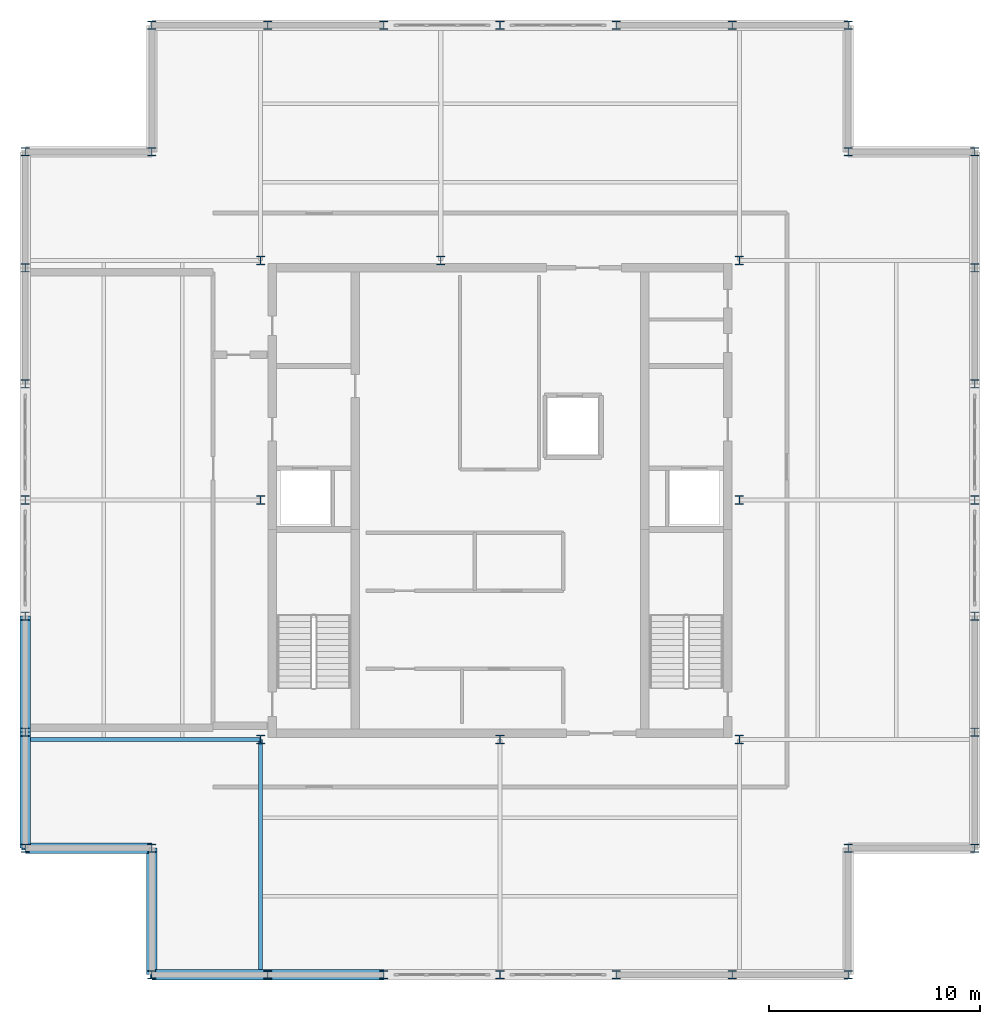
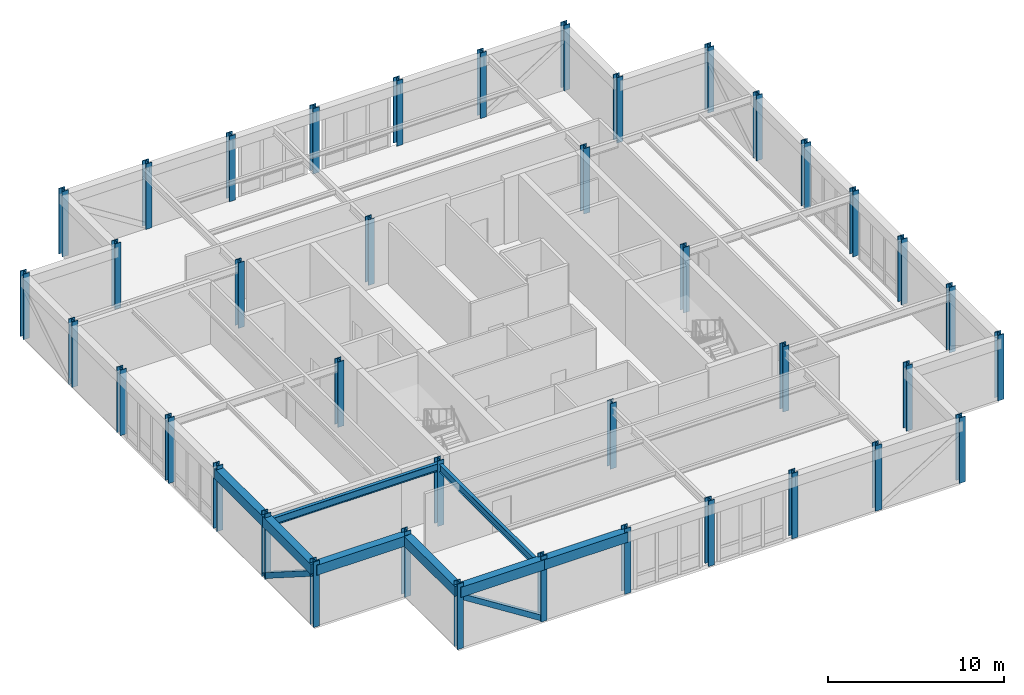
# One storey, part 1 of 9: 40 columns, 8 beams, 2 members.
"""IFC4 building model written with IfcOpenShell, lengths in metres."""

from ifc_helpers import new_model, si_unit, direction, frame, origin, origin_2d, place, context, subcontext, project, spatial, rectangle, hollow_rectangle, i_section, extrude, material, material_profile, profile_set, type_object, element, save


model = new_model("IFC4")

# Units and contexts
model_context = context("Model", 3, precision=1e-05, world=origin(), true_north=direction((0.0, 1.0)))
body_context = subcontext(model_context, "Body", "Model", "MODEL_VIEW")
ifc_project = project(units=[si_unit("LENGTHUNIT", "METRE"), si_unit("AREAUNIT", "SQUARE_METRE"), si_unit("VOLUMEUNIT", "CUBIC_METRE"), si_unit("PLANEANGLEUNIT", "RADIAN"), si_unit("MASSUNIT", "GRAM", prefix="KILO")], contexts=[model_context])

# Site, building, storey
site_placement = place(None, origin())
site = spatial("IfcSite", under=ifc_project, at=site_placement, CompositionType="ELEMENT")
building_placement = place(site_placement, origin())
building = spatial("IfcBuilding", under=site, at=building_placement, Name="Nhamokura Convention Tower", CompositionType="ELEMENT")
storey_placement = place(building_placement, frame((0.0, 0.0, 317.800048828125)))
storey = spatial("IfcBuildingStorey", under=building, at=storey_placement, Name="L78", CompositionType="ELEMENT", Elevation=317.800048828125)

# Columns
ifc_material_1 = material(Name="Steel ASTM A572 Gr 50", Category="steel")
ifc_material_profile_1 = material_profile(ifc_material_1, i_section(OverallWidth=0.404052734375, OverallDepth=0.406982421875, WebThickness=0.027099609375, FlangeThickness=0.043701171875, at=origin_2d()))
ifc_profile_set_1 = profile_set([ifc_material_profile_1], Name="Steel ASTM A572 Gr 50")
column_type = type_object("IfcColumnType", Name="CrownColumn_W360X347", PredefinedType="COLUMN", material=ifc_profile_set_1)
for number, where, z_axis, x_axis, name in (
    (1, (20.64990234375, 20.64990234375, 0.0), (0.0, 0.0, 1.0), (1.0, 0.0, 0.0), "L78 Core Column CC-SW"),
    (2, (32.0, 20.64990234375, 0.0), (0.0, 0.0, 1.0), (1.0, 0.0, 0.0), "L78 Core Column CC-S"),
    (3, (43.35009765625, 20.64990234375, 0.0), (0.0, 0.0, 1.0), (1.0, 0.0, 0.0), "L78 Core Column CC-SE"),
    (4, (43.35009765625, 32.0, 0.0), (0.0, 0.0, 1.0), (1.0, 0.0, 0.0), "L78 Core Column CC-E"),
    (5, (43.35009765625, 43.35009765625, 0.0), (0.0, 0.0, 1.0), (1.0, 0.0, 0.0), "L78 Core Column CC-NE"),
    (6, (29.199951171875, 43.35009765625, 0.0), (0.0, 0.0, 1.0), (1.0, 0.0, 0.0), "L78 Core Column CC-N"),
    (7, (20.64990234375, 43.35009765625, 0.0), (0.0, 0.0, 1.0), (1.0, 0.0, 0.0), "L78 Core Column CC-NW"),
    (8, (20.64990234375, 32.0, 0.0), (0.0, 0.0, 1.0), (1.0, 0.0, 0.0), "L78 Core Column CC-W"),
    (9, (15.5, 9.5, 0.0), (0.0, 0.0, 1.0), (1.0, 0.0, 0.0), "L78 Perimeter Tube Column SW1"),
    (10, (15.5, 15.5, 0.0), (0.0, 0.0, 1.0), (1.0, 0.0, 0.0), "L78 Perimeter Tube Column SW0"),
    (11, (9.5, 15.5, 0.0), (0.0, 0.0, 1.0), (1.0, 0.0, 0.0), "L78 Perimeter Tube Column SW2"),
    (12, (48.5, 9.5, 0.0), (0.0, 0.0, 1.0), (1.0, 0.0, 0.0), "L78 Perimeter Tube Column SE1"),
    (13, (48.5, 15.5, 0.0), (0.0, 0.0, 1.0), (1.0, 0.0, 0.0), "L78 Perimeter Tube Column SE0"),
    (14, (54.5, 15.5, 0.0), (0.0, 0.0, 1.0), (1.0, 0.0, 0.0), "L78 Perimeter Tube Column SE2"),
    (15, (54.5, 48.5, 0.0), (0.0, 0.0, 1.0), (1.0, 0.0, 0.0), "L78 Perimeter Tube Column NE1"),
    (16, (48.5, 48.5, 0.0), (0.0, 0.0, 1.0), (1.0, 0.0, 0.0), "L78 Perimeter Tube Column NE0"),
    (17, (48.5, 54.5, 0.0), (0.0, 0.0, 1.0), (1.0, 0.0, 0.0), "L78 Perimeter Tube Column NE2"),
    (18, (15.5, 54.5, 0.0), (0.0, 0.0, 1.0), (1.0, 0.0, 0.0), "L78 Perimeter Tube Column NW1"),
    (19, (15.5, 48.5, 0.0), (0.0, 0.0, 1.0), (1.0, 0.0, 0.0), "L78 Perimeter Tube Column NW0"),
    (20, (9.5, 48.5, 0.0), (0.0, 0.0, 1.0), (1.0, 0.0, 0.0), "L78 Perimeter Tube Column NW2"),
    (21, (21.0, 9.5, 0.0), (0.0, 0.0, 1.0), (1.0, 0.0, 0.0), "L78 Perimeter Tube Column S1"),
    (22, (21.0, 54.5, 0.0), (0.0, 0.0, 1.0), (1.0, 0.0, 0.0), "L78 Perimeter Tube Column N1"),
    (23, (9.5, 21.0, 0.0), (0.0, 0.0, 1.0), (1.0, 0.0, 0.0), "L78 Perimeter Tube Column W1"),
    (24, (54.5, 21.0, 0.0), (0.0, 0.0, 1.0), (1.0, 0.0, 0.0), "L78 Perimeter Tube Column E1"),
    (25, (26.5, 9.5, 0.0), (0.0, 0.0, 1.0), (1.0, 0.0, 0.0), "L78 Perimeter Tube Column S2"),
    (26, (26.5, 54.5, 0.0), (0.0, 0.0, 1.0), (1.0, 0.0, 0.0), "L78 Perimeter Tube Column N2"),
    (27, (9.5, 26.5, 0.0), (0.0, 0.0, 1.0), (1.0, 0.0, 0.0), "L78 Perimeter Tube Column W2"),
    (28, (54.5, 26.5, 0.0), (0.0, 0.0, 1.0), (1.0, 0.0, 0.0), "L78 Perimeter Tube Column E2"),
    (29, (32.0, 9.5, 0.0), (0.0, 0.0, 1.0), (1.0, 0.0, 0.0), "L78 Perimeter Tube Column S3"),
    (30, (32.0, 54.5, 0.0), (0.0, 0.0, 1.0), (1.0, 0.0, 0.0), "L78 Perimeter Tube Column N3"),
    (31, (9.5, 32.0, 0.0), (0.0, 0.0, 1.0), (1.0, 0.0, 0.0), "L78 Perimeter Tube Column W3"),
    (32, (54.5, 32.0, 0.0), (0.0, 0.0, 1.0), (1.0, 0.0, 0.0), "L78 Perimeter Tube Column E3"),
    (33, (37.5, 9.5, 0.0), (0.0, 0.0, 1.0), (1.0, 0.0, 0.0), "L78 Perimeter Tube Column S4"),
    (34, (37.5, 54.5, 0.0), (0.0, 0.0, 1.0), (1.0, 0.0, 0.0), "L78 Perimeter Tube Column N4"),
    (35, (9.5, 37.5, 0.0), (0.0, 0.0, 1.0), (1.0, 0.0, 0.0), "L78 Perimeter Tube Column W4"),
    (36, (54.5, 37.5, 0.0), (0.0, 0.0, 1.0), (1.0, 0.0, 0.0), "L78 Perimeter Tube Column E4"),
    (37, (43.0, 9.5, 0.0), (0.0, 0.0, 1.0), (1.0, 0.0, 0.0), "L78 Perimeter Tube Column S5"),
    (38, (43.0, 54.5, 0.0), (0.0, 0.0, 1.0), (1.0, 0.0, 0.0), "L78 Perimeter Tube Column N5"),
    (39, (9.5, 43.0, 0.0), (0.0, 0.0, 1.0), (1.0, 0.0, 0.0), "L78 Perimeter Tube Column W5"),
    (40, (54.5, 43.0, 0.0), (0.0, 0.0, 1.0), (1.0, 0.0, 0.0), "L78 Perimeter Tube Column E5"),
):
    element("IfcColumn", number, at=place(storey_placement, frame(where, z_axis=z_axis, x_axis=x_axis)), inside=storey, type_object=column_type, Name=name, PredefinedType="COLUMN", context=body_context, shape_type="SweptSolid", body=[
        extrude(i_section(OverallWidth=0.404052734375, OverallDepth=0.406982421875, WebThickness=0.027099609375, FlangeThickness=0.043701171875, at=origin_2d()), origin(), (0.0, 0.0, 1.0), 4.550048828125),
    ])

# Beams
ifc_material_2 = material(Name="Steel ASTM A992 Gr 50", Category="steel")
ifc_material_profile_2 = material_profile(ifc_material_2, i_section(OverallWidth=0.208984375, OverallDepth=0.532958984375, WebThickness=0.01025390625, FlangeThickness=0.015625, at=origin_2d()))
ifc_profile_set_2 = profile_set([ifc_material_profile_2], Name="Steel ASTM A992 Gr 50")
beam_type_1 = type_object("IfcBeamType", Name="PrimaryGirder_W530X92", PredefinedType="BEAM", material=ifc_profile_set_2)
for number, where, z_axis, x_axis, name in (
    (41, (20.64990234375, 9.5, 4.0234375), (0.0, 1.0, 0.0), (-1.0, 0.0, 0.0), "L78 Primary Floor Girder PG-S1"),
    (42, (9.5, 20.64990234375, 4.0234375), (1.0, 0.0, 0.0), (0.0, 1.0, 0.0), "L78 Primary Floor Girder PG-W1"),
):
    element("IfcBeam", number, at=place(storey_placement, frame(where, z_axis=z_axis, x_axis=x_axis)), inside=storey, type_object=beam_type_1, Name=name, PredefinedType="BEAM", context=body_context, shape_type="SweptSolid", body=[
        extrude(i_section(OverallWidth=0.208984375, OverallDepth=0.532958984375, WebThickness=0.01025390625, FlangeThickness=0.015625, at=origin_2d()), origin(), (0.0, 0.0, 1.0), 11.14990234375),
    ])

# Members
ifc_material_3 = material(Name="Steel ASTM A572 Gr 50", Category="steel")
ifc_material_profile_3 = material_profile(ifc_material_3, hollow_rectangle(XDim=0.35009765625, YDim=0.35009765625, WallThickness=0.01611328125, at=origin_2d()))
ifc_profile_set_3 = profile_set([ifc_material_profile_3], Name="Steel ASTM A572 Gr 50")
member_type = type_object("IfcMemberType", Name="TubeBrace_HSS350", PredefinedType="BRACE", material=ifc_profile_set_3)
for number, where, z_axis, x_axis, name in (
    (43, (21.0, 9.5, 0.14990234375), (-0.84435681045, 0.0, 0.535781276872), (0.0, -1.0, 0.0), "L78 Perimeter Tube Brace SOUTH Bay 0"),
    (44, (9.5, 21.0, 0.14990234375), (0.0, -0.84435681045, 0.535781276872), (1.0, 0.0, 0.0), "L78 Perimeter Tube Brace WEST Bay 0"),
):
    element("IfcMember", number, at=place(storey_placement, frame(where, z_axis=z_axis, x_axis=x_axis)), inside=storey, type_object=member_type, Name=name, PredefinedType="BRACE", context=body_context, shape_type="SweptSolid", body=[
        extrude(hollow_rectangle(XDim=0.35009765625, YDim=0.35009765625, WallThickness=0.01611328125, at=origin_2d()), origin(), (0.0, 0.0, 1.0), 6.513916015625),
    ])

# Beams
ifc_material_4 = material(Name="Concrete C50/60", Category="concrete")
ifc_material_profile_4 = material_profile(ifc_material_4, rectangle(XDim=0.5, YDim=0.699951171875, at=origin_2d()))
ifc_profile_set_4 = profile_set([ifc_material_profile_4], Name="Concrete C50/60")
beam_type_2 = type_object("IfcBeamType", Name="TubeSpandrel_700", PredefinedType="SPANDREL", material=ifc_profile_set_4)
for number, where, z_axis, x_axis, name in (
    (45, (15.5, 9.5, 3.93994140625), (1.0, 0.0, 0.0), (0.0, 1.0, 0.0), "L78 Perimeter Spandrel SOUTH 1"),
    (46, (21.0, 9.5, 3.93994140625), (1.0, 0.0, 0.0), (0.0, 1.0, 0.0), "L78 Perimeter Spandrel SOUTH 2"),
    (47, (9.5, 15.5, 3.93994140625), (0.0, 1.0, 0.0), (-1.0, 0.0, 0.0), "L78 Perimeter Spandrel WEST 1"),
    (48, (9.5, 21.0, 3.93994140625), (0.0, 1.0, 0.0), (-1.0, 0.0, 0.0), "L78 Perimeter Spandrel WEST 2"),
):
    element("IfcBeam", number, at=place(storey_placement, frame(where, z_axis=z_axis, x_axis=x_axis)), inside=storey, type_object=beam_type_2, Name=name, PredefinedType="SPANDREL", context=body_context, shape_type="SweptSolid", body=[
        extrude(rectangle(XDim=0.5, YDim=0.699951171875, at=origin_2d()), origin(), (0.0, 0.0, 1.0), 5.5),
    ])
for number, where, z_axis, x_axis, name in (
    (49, (15.5, 9.5, 3.93994140625), (0.0, 1.0, 0.0), (-1.0, 0.0, 0.0), "L78 Notch Spandrel SW1"),
    (50, (15.5, 15.5, 3.93994140625), (-1.0, 0.0, 0.0), (0.0, -1.0, 0.0), "L78 Notch Spandrel SW2"),
):
    element("IfcBeam", number, at=place(storey_placement, frame(where, z_axis=z_axis, x_axis=x_axis)), inside=storey, type_object=beam_type_2, Name=name, PredefinedType="SPANDREL", context=body_context, shape_type="SweptSolid", body=[
        extrude(rectangle(XDim=0.5, YDim=0.699951171875, at=origin_2d()), origin(), (0.0, 0.0, 1.0), 6.0),
    ])

save(model, "model.ifc")
